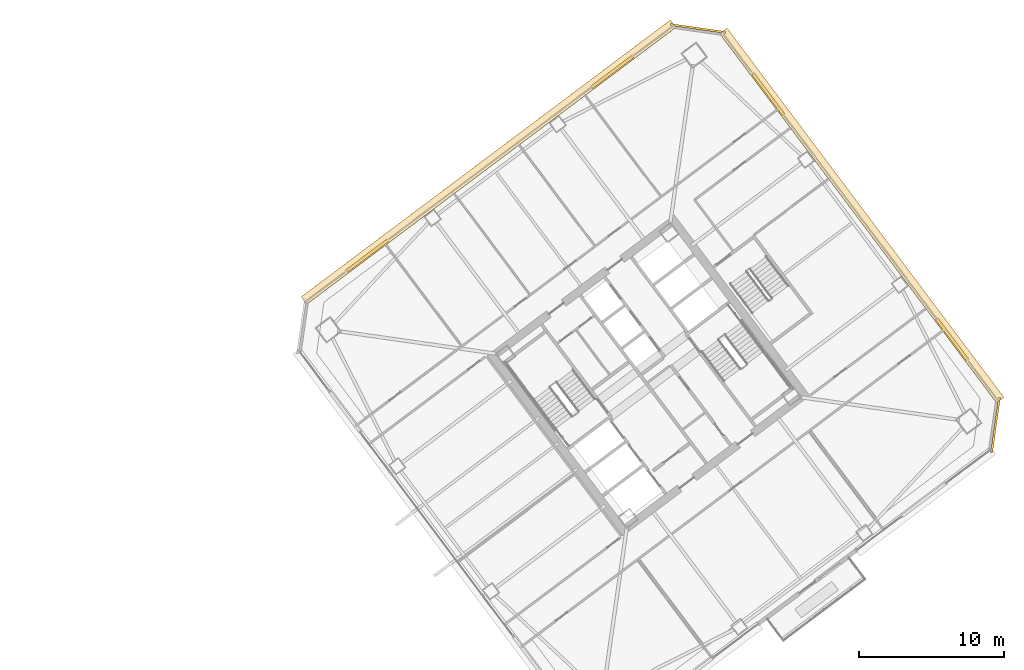
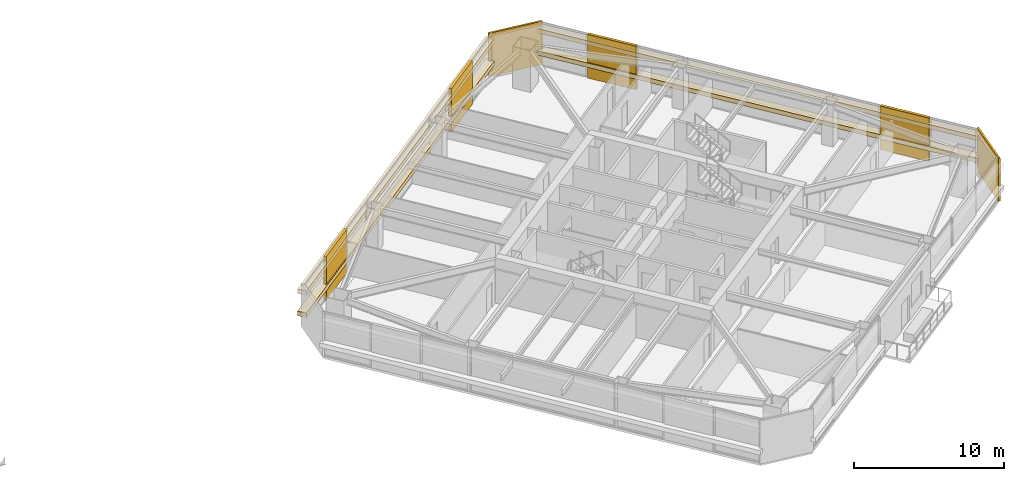
# One storey, part 46 of 46: 10 coverings.
"""IFC4 building model written with IfcOpenShell, lengths in metres."""

from ifc_helpers import new_model, si_unit, direction, frame, origin, origin_2d, place, context, subcontext, project, spatial, rectangle, extrude, material, layer, layer_set, type_object, element, save


model = new_model("IFC4")

# Units and contexts
model_context = context("Model", 3, precision=1e-05, world=origin(), true_north=direction((0.0, 1.0)))
body_context = subcontext(model_context, "Body", "Model", "MODEL_VIEW")
ifc_project = project(units=[si_unit("LENGTHUNIT", "METRE"), si_unit("AREAUNIT", "SQUARE_METRE"), si_unit("VOLUMEUNIT", "CUBIC_METRE"), si_unit("PLANEANGLEUNIT", "RADIAN"), si_unit("MASSUNIT", "GRAM", prefix="KILO")], contexts=[model_context])

# Site, building, storey
site_placement = place(None, origin())
site = spatial("IfcSite", under=ifc_project, at=site_placement, CompositionType="ELEMENT")
building_placement = place(site_placement, origin())
building = spatial("IfcBuilding", under=site, at=building_placement, Name="Tashvorn Skyway Center", CompositionType="ELEMENT")
storey_placement = place(building_placement, frame((0.0, 0.0, 139.25)))
storey = spatial("IfcBuildingStorey", under=building, at=storey_placement, Name="L37", CompositionType="ELEMENT", Elevation=139.25)

# Coverings
ifc_material_1 = material(Name="Precast concrete C40/50", Category="concrete")
ifc_layer_1 = layer(ifc_material_1, 0.199951171875)
ifc_layer_set_1 = layer_set([ifc_layer_1], Name="Precast concrete C40/50")
covering_type_1 = type_object("IfcCoveringType", Name="COV-BRACE-CLAD", PredefinedType="CLADDING", material=ifc_layer_set_1)
for number, where, z_axis, x_axis, name in (
    (1, (94.562744140625, 40.27197265625, 0.0), (0.0, 0.0, 1.0), (0.799999996291, 0.600000004945, 0.0), "Tower 2 L37 North Unitised Curtain Wall Mega-Brace Cladding Band 1"),
    (2, (111.50146484375, 52.97607421875, 0.0), (0.0, 0.0, 1.0), (0.799999996291, 0.600000004945, 0.0), "Tower 2 L37 North Unitised Curtain Wall Mega-Brace Cladding Band 2"),
    (3, (122.27197265625, 51.437255859375, 0.0), (0.0, 0.0, 1.0), (0.600000004945, -0.799999996291, 0.0), "Tower 2 L37 East Unitised Curtain Wall Mega-Brace Cladding Band 1"),
    (4, (134.97607421875, 34.49853515625, 0.0), (0.0, 0.0, 1.0), (0.600000004945, -0.799999996291, 0.0), "Tower 2 L37 East Unitised Curtain Wall Mega-Brace Cladding Band 2"),
):
    element("IfcCovering", number, at=place(storey_placement, frame(where, z_axis=z_axis, x_axis=x_axis)), inside=storey, type_object=covering_type_1, Name=name, PredefinedType="CLADDING", context=body_context, shape_type="SweptSolid", body=[
        extrude(rectangle(XDim=3.52880859375, YDim=0.199951171875, at=origin_2d()), origin(), (0.0, 0.0, 1.0), 3.550048828125),
    ])
ifc_material_2 = material(Name="Perforated ceramic-coated bronze aluminium solar screen", Category="aluminium")
ifc_layer_2 = layer(ifc_material_2, 0.85009765625)
ifc_layer_set_2 = layer_set([ifc_layer_2], Name="Perforated ceramic-coated bronze aluminium solar screen")
covering_type_2 = type_object("IfcCoveringType", Name="COV-SOLAR-BAND", PredefinedType="CLADDING", material=ifc_layer_set_2)
for number, where, z_axis, x_axis, name in (
    (5, (102.947998046875, 46.736083984375, 0.919921875), (0.0, 0.0, 1.0), (0.799999996291, 0.600000004945, 0.0), "L37 Perforated Ceramic-Metal Solar Screen Louvre Band North 1"),
    (6, (102.947998046875, 46.736083984375, 2.7197265625), (0.0, 0.0, 1.0), (0.799999996291, 0.600000004945, 0.0), "L37 Perforated Ceramic-Metal Solar Screen Louvre Band North 2"),
    (7, (128.736083984375, 43.052001953125, 0.919921875), (0.0, 0.0, 1.0), (0.600000004945, -0.799999996291, 0.0), "L37 Perforated Ceramic-Metal Solar Screen Louvre Band East 1"),
    (8, (128.736083984375, 43.052001953125, 2.7197265625), (0.0, 0.0, 1.0), (0.600000004945, -0.799999996291, 0.0), "L37 Perforated Ceramic-Metal Solar Screen Louvre Band East 2"),
):
    element("IfcCovering", number, at=place(storey_placement, frame(where, z_axis=z_axis, x_axis=x_axis)), inside=storey, type_object=covering_type_2, Name=name, PredefinedType="CLADDING", context=body_context, shape_type="SweptSolid", body=[
        extrude(rectangle(XDim=31.8798828125, YDim=0.639892578125, at=origin_2d()), origin(), (0.0, 0.0, 1.0), 0.360107421875),
    ])
ifc_layer_3 = layer(ifc_material_1, 0.35009765625)
ifc_layer_set_3 = layer_set([ifc_layer_3], Name="Precast concrete C40/50")
covering_type_3 = type_object("IfcCoveringType", Name="COV-STONE-TRIM", PredefinedType="CLADDING", material=ifc_layer_set_3)
for number, where, z_axis, x_axis, name in (
    (9, (117.424072265625, 55.968017578125, 0.02001953125), (0.0, 0.0, 1.0), (0.989949494535, -0.141421350118, 0.0), "Tower 2 L37 NE Mojave Limestone Corner Quoin"),
    (10, (137.968017578125, 28.575927734375, 0.02001953125), (0.0, 0.0, 1.0), (0.141421350118, 0.989949494535, 0.0), "Tower 2 L37 SE Mojave Limestone Corner Quoin"),
):
    element("IfcCovering", number, at=place(storey_placement, frame(where, z_axis=z_axis, x_axis=x_axis)), inside=storey, type_object=covering_type_3, Name=name, PredefinedType="CLADDING", context=body_context, shape_type="SweptSolid", body=[
        extrude(rectangle(XDim=3.8369140625, YDim=0.139892578125, at=origin_2d()), origin(), (0.0, 0.0, 1.0), 3.510009765625),
    ])

save(model, "model.ifc")
